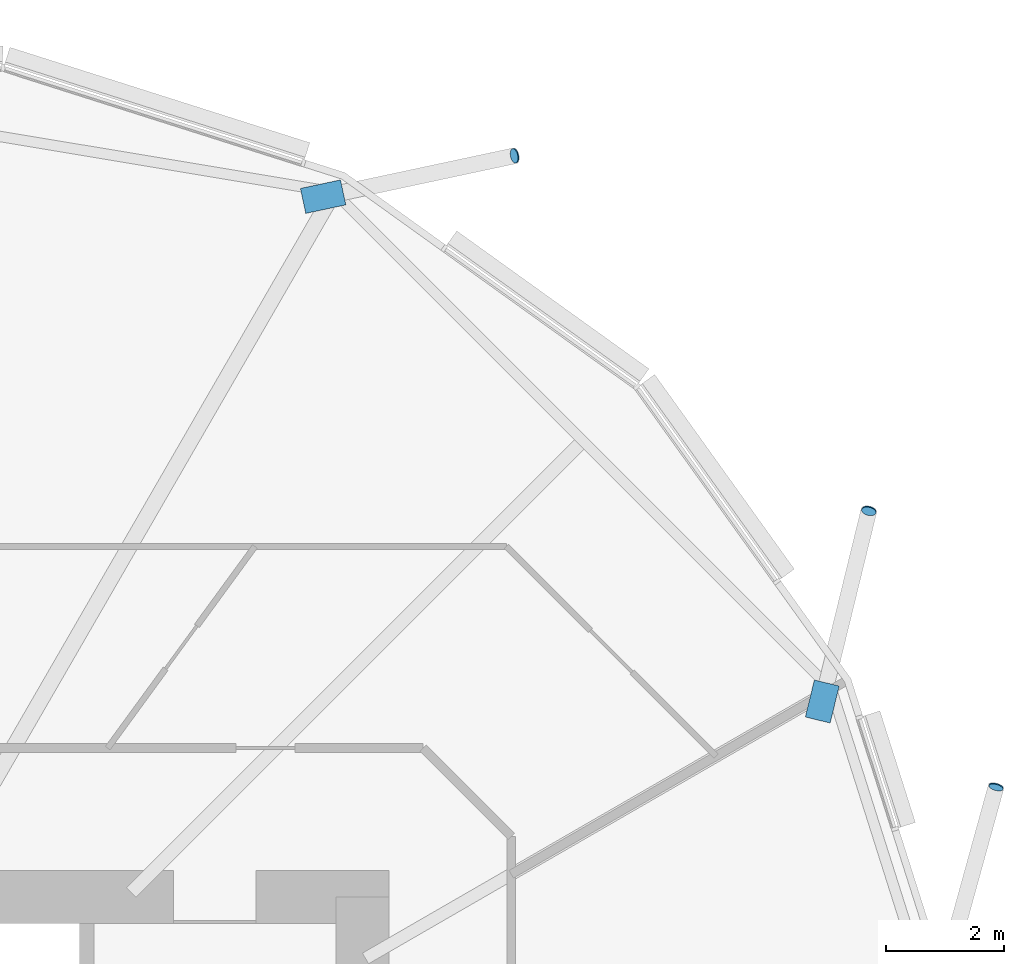
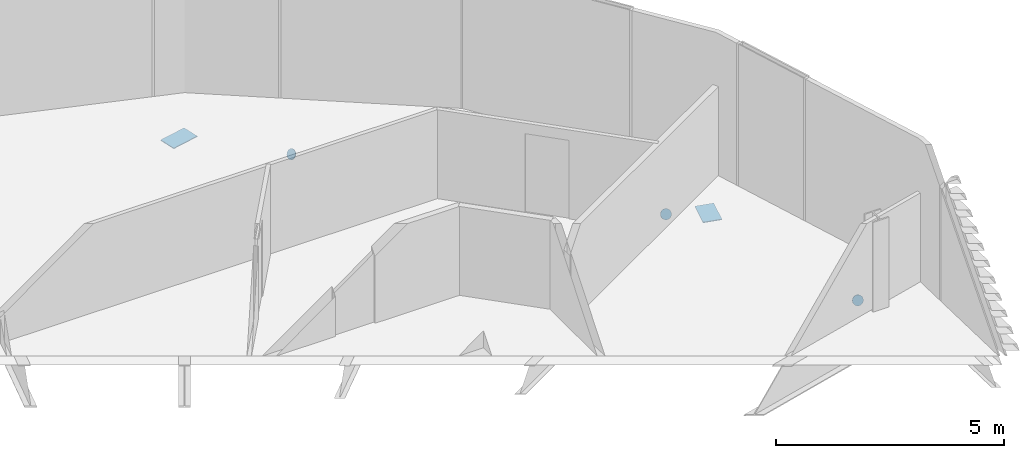
# One storey, part 32 of 38: 5 discrete accessories.
"""IFC4 building model written with IfcOpenShell, lengths in metres."""

from ifc_helpers import new_model, si_unit, direction, frame, origin, origin_2d, place, context, subcontext, project, spatial, polyline, rectangle, circle, outline, extrude, material, material_profile, profile_set, type_object, element, save


model = new_model("IFC4")

# Units and contexts
model_context = context("Model", 3, precision=1e-05, world=origin(), true_north=direction((0.0, 1.0)))
body_context = subcontext(model_context, "Body", "Model", "MODEL_VIEW")
ifc_project = project(units=[si_unit("LENGTHUNIT", "METRE"), si_unit("AREAUNIT", "SQUARE_METRE"), si_unit("VOLUMEUNIT", "CUBIC_METRE"), si_unit("PLANEANGLEUNIT", "RADIAN"), si_unit("MASSUNIT", "GRAM", prefix="KILO")], contexts=[model_context])

# Site, building, storey
site_placement = place(None, origin())
site = spatial("IfcSite", under=ifc_project, at=site_placement, CompositionType="ELEMENT")
building_placement = place(site_placement, origin())
building = spatial("IfcBuilding", under=site, at=building_placement, Name="Rimbun Link Towers", CompositionType="ELEMENT")
storey_placement = place(building_placement, frame((0.0, 0.0, 71.800048828125)))
storey = spatial("IfcBuildingStorey", under=building, at=storey_placement, Name="L17", CompositionType="ELEMENT", Elevation=71.800048828125)

# Discrete accessories
ifc_material_1 = material(Name="Steel S355J2H", Category="steel")
ifc_material_profile_1 = material_profile(ifc_material_1, circle(Radius=0.1240234375, at=origin_2d()), Name="PL D248")
ifc_profile_set_1 = profile_set([ifc_material_profile_1], Name="Steel S355J2H")
discrete_accessory_type_1 = type_object("IfcDiscreteAccessoryType", Name="Link foot sealing plate D248X20", PredefinedType="BRACKET", material=ifc_profile_set_1)
for number, where, z_axis, x_axis, name in (
    (1, (46.3232421875, 20.567626953125, -2.908935546875), (0.845052835203, 0.183707138088, -0.502132844106), (-0.212429644331, 0.977176363923, 0.0), "Link foot sealing plate T2 L17 01"),
    (2, (54.492431640625, 9.858642578125, -3.187255859375), (0.243612768567, 0.877005966841, -0.414141706564), (-0.96351790963, 0.267643863786, 0.0), "Link foot sealing plate T2 L17 22"),
    (3, (52.336181640625, 14.540283203125, -2.965576171875), (0.195063939638, 0.804638751005, -0.560808826458), (-0.971850105689, 0.235600025622, 0.0), "Link foot sealing plate T2 L17 23"),
):
    element("IfcDiscreteAccessory", number, at=place(storey_placement, frame(where, z_axis=z_axis, x_axis=x_axis)), inside=storey, type_object=discrete_accessory_type_1, Name=name, PredefinedType="BRACKET", context=body_context, shape_type="SweptSolid", body=[
        extrude(circle(Radius=0.1240234375, at=origin_2d()), origin(), (0.0, 0.0, 1.0), 0.02001953125),
    ])
ifc_material_2 = material(Name="Steel S355J2H", Category="steel")
ifc_material_profile_2 = material_profile(ifc_material_2, rectangle(XDim=0.43310546875, YDim=0.43310546875, at=origin_2d()), Name="PL 433x433")
ifc_profile_set_2 = profile_set([ifc_material_profile_2], Name="Steel S355J2H")
discrete_accessory_type_2 = type_object("IfcDiscreteAccessoryType", Name="Link head end plate 433X20", PredefinedType="BRACKET", material=ifc_profile_set_2)
discrete_accessory_1_placement = place(storey_placement, frame((0.0, 0.0, -0.942138671875)))
element("IfcDiscreteAccessory", 4, at=discrete_accessory_1_placement, inside=storey, type_object=discrete_accessory_type_2, Name="Link head end plate T2 L17 01", PredefinedType="BRACKET", context=body_context, shape_type="SweptSolid", body=[
    extrude(outline(polyline([(42.7900390625, 19.592041015625), (43.469482421875, 19.737060546875), (43.37890625, 20.160400390625), (42.69970703125, 20.015380859375), (42.7900390625, 19.592041015625)])), origin(), (0.0, 0.0, 1.0), 0.019775390625),
])
discrete_accessory_2_placement = place(storey_placement, frame((0.0, 0.0, -0.713134765625)))
element("IfcDiscreteAccessory", 5, at=discrete_accessory_2_placement, inside=storey, type_object=discrete_accessory_type_2, Name="Link head end plate T2 L17 23", PredefinedType="BRACKET", context=body_context, shape_type="SweptSolid", body=[
    extrude(outline(polyline([(51.681884765625, 10.950439453125), (51.835205078125, 11.578125), (51.41455078125, 11.680908203125), (51.260986328125, 11.05322265625), (51.681884765625, 10.950439453125)])), origin(), (0.0, 0.0, 1.0), 0.02001953125),
])

save(model, "model.ifc")
